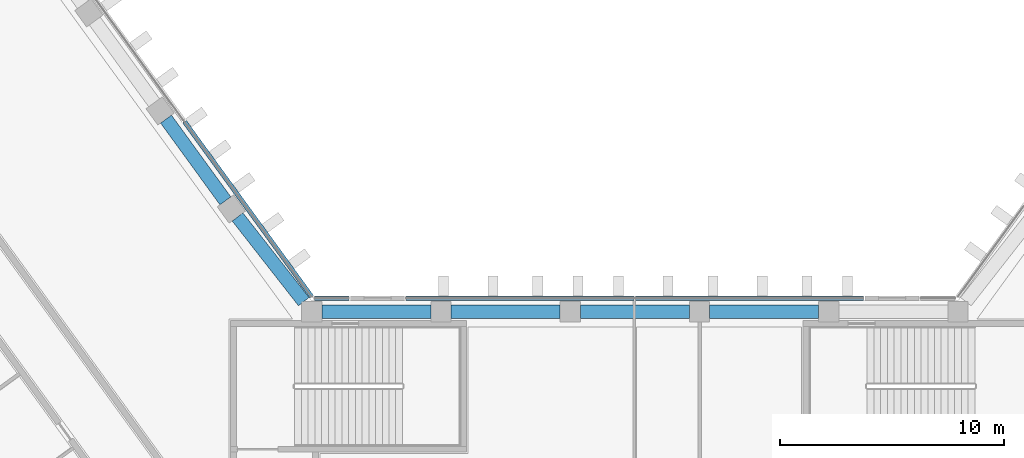
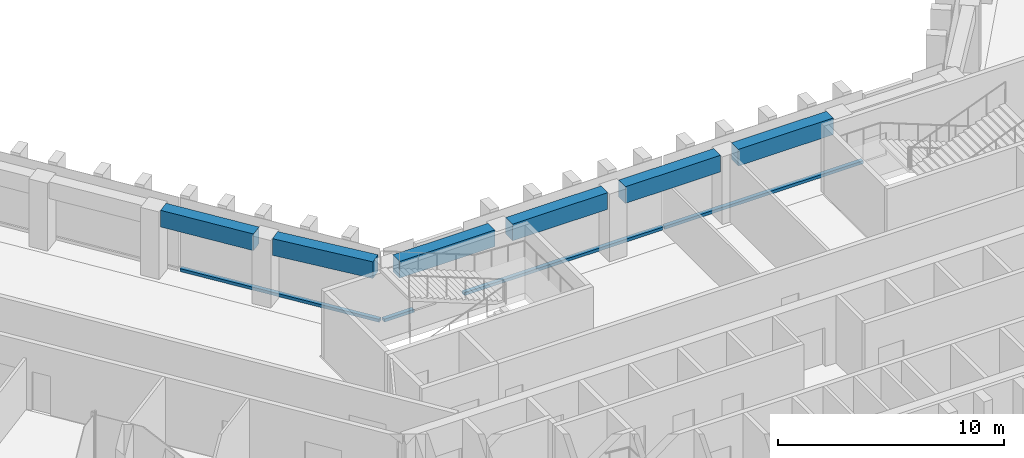
"""IFC4 building model written with IfcOpenShell, lengths in metres."""

from ifc_helpers import new_model, si_unit, direction, frame, origin, origin_2d, place, context, subcontext, project, spatial, rectangle, extrude, material, material_profile, profile_set, type_object, element, aggregate, save


model = new_model("IFC4")

# Units and contexts
model_context = context("Model", 3, precision=1e-05, world=origin(), true_north=direction((0.0, 1.0)))
body_context = subcontext(model_context, "Body", "Model", "MODEL_VIEW")
ifc_project = project(units=[si_unit("LENGTHUNIT", "METRE"), si_unit("AREAUNIT", "SQUARE_METRE"), si_unit("VOLUMEUNIT", "CUBIC_METRE"), si_unit("PLANEANGLEUNIT", "RADIAN"), si_unit("MASSUNIT", "GRAM", prefix="KILO")], contexts=[model_context])

# Site, building, storey
site_placement = place(None, origin())
site = spatial("IfcSite", under=ifc_project, at=site_placement, CompositionType="ELEMENT")
building_placement = place(site_placement, origin())
building = spatial("IfcBuilding", under=site, at=building_placement, Name="Quipu Civic Tower", CompositionType="ELEMENT")
storey_1_placement = place(building_placement, frame((0.0, 0.0, 63.0)))
storey_1 = spatial("IfcBuildingStorey", under=building, at=storey_1_placement, Name="L14", CompositionType="ELEMENT", Elevation=63.0)

# Beams
ifc_material_1 = material(Name="Concrete C50/60", Category="concrete")
ifc_material_profile_1 = material_profile(ifc_material_1, rectangle(XDim=0.60009765625, YDim=0.89990234375, at=origin_2d()), Name="RC600x900")
ifc_profile_set_1 = profile_set([ifc_material_profile_1], Name="Concrete C50/60")
beam_type = type_object("IfcBeamType", Name="Spandrel beam RC 600x900 C50/60", PredefinedType="SPANDREL", material=ifc_profile_set_1)
beam_1_placement = place(storey_1_placement, frame((-18.238037109375, 15.43896484375, 3.199951171875), z_axis=(-0.587716763865, 0.809066749701, 0.0), x_axis=(-0.809066749701, -0.587716763865, 0.0)))
element("IfcBeam", 1, at=beam_1_placement, inside=storey_1, type_object=beam_type, Name="Spandrel beam L14 W-IN-01 to W-IN-02", PredefinedType="SPANDREL", context=body_context, shape_type="SweptSolid", body=[
    extrude(rectangle(XDim=0.60009765625, YDim=0.89990234375, at=origin_2d()), origin(), (0.0, 0.0, 1.0), 4.5),
])
for number, where, z_axis, x_axis, name in (
    (2, (8.18701171875, 10.5, 3.199951171875), (-1.0, 0.0, 0.0), (0.0, -1.0, 0.0), "Spandrel beam L14 FRONT-01 to FRONT-02"),
    (3, (2.428955078125, 10.5, 3.199951171875), (-1.0, 0.0, 0.0), (0.0, -1.0, 0.0), "Spandrel beam L14 FRONT-02 to FRONT-03"),
    (4, (-3.3291015625, 10.5, 3.199951171875), (-1.0, 0.0, 0.0), (0.0, -1.0, 0.0), "Spandrel beam L14 FRONT-03 to FRONT-04"),
):
    element("IfcBeam", number, at=place(storey_1_placement, frame(where, z_axis=z_axis, x_axis=x_axis)), inside=storey_1, type_object=beam_type, Name=name, PredefinedType="SPANDREL", context=body_context, shape_type="SweptSolid", body=[
        extrude(rectangle(XDim=0.60009765625, YDim=0.89990234375, at=origin_2d()), origin(), (0.0, 0.0, 1.0), 4.85791015625),
    ])
beam_2_placement = place(storey_1_placement, frame((-9.087158203125, 10.5, 3.199951171875), z_axis=(-1.0, 0.0, 0.0), x_axis=(0.0, -1.0, 0.0)))
element("IfcBeam", 5, at=beam_2_placement, inside=storey_1, type_object=beam_type, Name="Spandrel beam L14 FRONT-04 to J-Wi.0", PredefinedType="SPANDREL", context=body_context, shape_type="SweptSolid", body=[
    extrude(rectangle(XDim=0.60009765625, YDim=0.89990234375, at=origin_2d()), origin(), (0.0, 0.0, 1.0), 4.858154296875),
])
beam_3_placement = place(storey_1_placement, frame((-14.7470703125, 10.949951171875, 3.199951171875), z_axis=(-0.616123961998, 0.787649200756, 0.0), x_axis=(-0.787649200756, -0.616123961998, 0.0)))
element("IfcBeam", 6, at=beam_3_placement, inside=storey_1, type_object=beam_type, Name="Spandrel beam L14 J-Wi.0 to W-IN-01", PredefinedType="SPANDREL", context=body_context, shape_type="SweptSolid", body=[
    extrude(rectangle(XDim=0.60009765625, YDim=0.89990234375, at=origin_2d()), origin(), (0.0, 0.0, 1.0), 4.78662109375),
])

# Storey
storey_2_placement = place(building_placement, frame((0.0, 0.0, 59.0)))
storey_2 = spatial("IfcBuildingStorey", under=building, at=storey_2_placement, Name="L13", CompositionType="ELEMENT", Elevation=59.0)

# Curtain wall, member
ifc_material_2 = material(Name="Insulated glass unit", Category="glass")
curtain_wall_type = type_object("IfcCurtainWallType", Name="Office curtain wall CW1", PredefinedType="NOTDEFINED", material=ifc_material_2)
curtain_wall_1_placement = place(storey_2_placement, origin())
curtain_wall_1 = element("IfcCurtainWall", 7, at=curtain_wall_1_placement, inside=storey_2, type_object=curtain_wall_type, Name="Office curtain wall CW1 L12 run 10", PredefinedType="NOTDEFINED")
ifc_material_3 = material(Name="Anodised aluminium", Category="aluminium")
ifc_material_profile_2 = material_profile(ifc_material_3, rectangle(XDim=0.199951171875, YDim=0.159912109375, at=origin_2d()), Name="RECT 200x160")
ifc_profile_set_2 = profile_set([ifc_material_profile_2], Name="Anodised aluminium")
member_type = type_object("IfcMemberType", Name="Transom CW1", PredefinedType="USERDEFINED", material=ifc_profile_set_2)
member_1_placement = place(storey_1_placement, frame((-14.39111328125, 11.164794921875, 0.080078125), z_axis=(-0.58779220199, 0.809011945079, 0.0), x_axis=(-0.809011945079, -0.58779220199, 0.0)))
member_1 = element("IfcMember", 8, at=member_1_placement, inside=storey_1, type_object=member_type, Name="CW1 transom 1.3", ObjectType="TRANSOM", PredefinedType="USERDEFINED", context=body_context, shape_type="SweptSolid", body=[
    extrude(rectangle(XDim=0.199951171875, YDim=0.159912109375, at=origin_2d()), origin(), (0.0, 0.0, 1.0), 9.64111328125),
])
aggregate(curtain_wall_1, [member_1])

# Curtain wall, members
curtain_wall_2_placement = place(storey_2_placement, origin())
curtain_wall_2 = element("IfcCurtainWall", 9, at=curtain_wall_2_placement, inside=storey_2, type_object=curtain_wall_type, Name="Office curtain wall CW1 L12 run 39", PredefinedType="NOTDEFINED")
member_2_placement = place(storey_1_placement, frame((10.18359375, 11.10009765625, 0.080078125), z_axis=(-1.0, 0.0, 0.0), x_axis=(0.0, -1.0, 0.0)))
member_2 = element("IfcMember", 10, at=member_2_placement, inside=storey_1, type_object=member_type, Name="CW1 transom 1.3", ObjectType="TRANSOM", PredefinedType="USERDEFINED", context=body_context, shape_type="SweptSolid", body=[
    extrude(rectangle(XDim=0.199951171875, YDim=0.159912109375, at=origin_2d()), origin(), (0.0, 0.0, 1.0), 10.1435546875),
])
member_3_placement = place(storey_1_placement, frame((-0.0400390625, 11.10009765625, 0.080078125), z_axis=(-1.0, 0.0, 0.0), x_axis=(0.0, -1.0, 0.0)))
member_3 = element("IfcMember", 11, at=member_3_placement, inside=storey_1, type_object=member_type, Name="CW1 transom 2.3", ObjectType="TRANSOM", PredefinedType="USERDEFINED", context=body_context, shape_type="SweptSolid", body=[
    extrude(rectangle(XDim=0.199951171875, YDim=0.159912109375, at=origin_2d()), origin(), (0.0, 0.0, 1.0), 10.1435546875),
])
aggregate(curtain_wall_2, [member_2, member_3])

# Curtain wall, member
curtain_wall_3_placement = place(storey_2_placement, origin())
curtain_wall_3 = element("IfcCurtainWall", 12, at=curtain_wall_3_placement, inside=storey_2, type_object=curtain_wall_type, Name="Office curtain wall CW1 L12 run 41", PredefinedType="NOTDEFINED")
member_4_placement = place(storey_1_placement, frame((-12.735107421875, 11.10009765625, 0.080078125), z_axis=(-1.0, 0.0, 0.0), x_axis=(0.0, -1.0, 0.0)))
member_4 = element("IfcMember", 13, at=member_4_placement, inside=storey_1, type_object=member_type, Name="CW1 transom 1.3", ObjectType="TRANSOM", PredefinedType="USERDEFINED", context=body_context, shape_type="SweptSolid", body=[
    extrude(rectangle(XDim=0.199951171875, YDim=0.159912109375, at=origin_2d()), origin(), (0.0, 0.0, 1.0), 1.529052734375),
])
aggregate(curtain_wall_3, [member_4])

save(model, "model.ifc")
